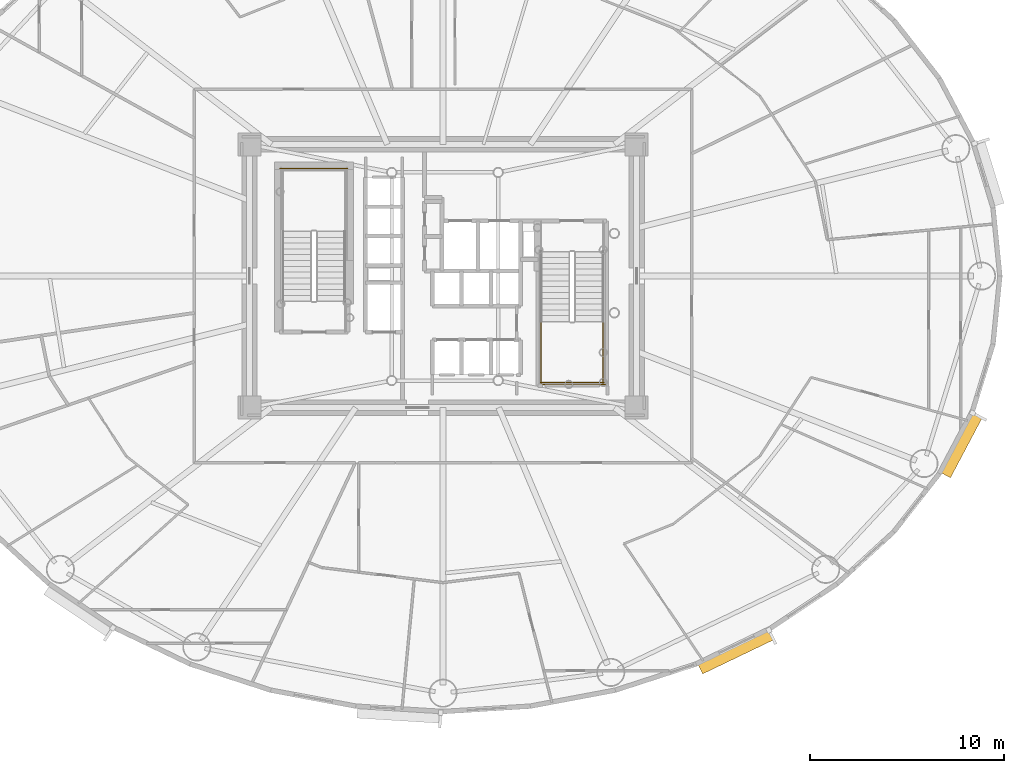
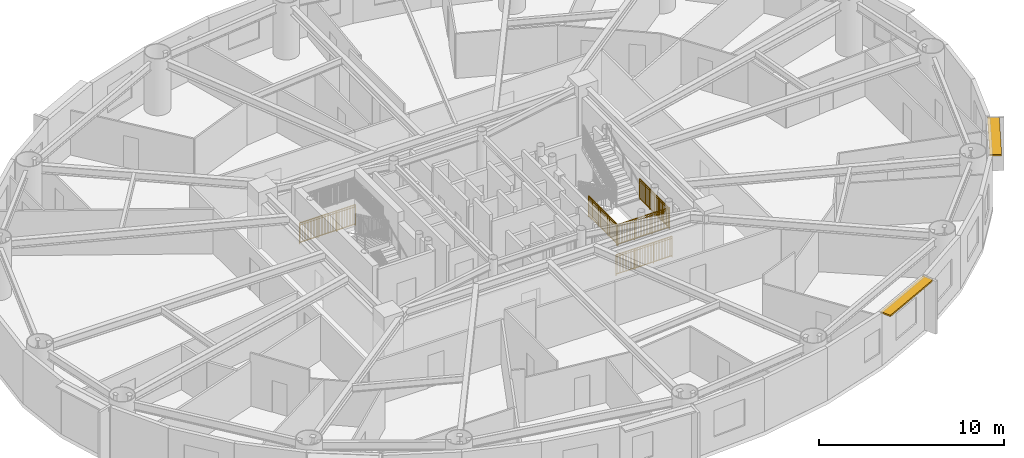
# One storey, part 14 of 16: 5 railings, 2 shading devices.
"""IFC4 building model written with IfcOpenShell, lengths in metres."""

from ifc_helpers import new_model, si_unit, direction, frame, origin, origin_2d, place, context, subcontext, project, spatial, rectangle, extrude, source, transform, mapped, material, layer, layer_set, type_object, element, save


model = new_model("IFC4")

# Units and contexts
model_context = context("Model", 3, precision=1e-05, world=origin(), true_north=direction((0.0, 1.0)))
body_context = subcontext(model_context, "Body", "Model", "MODEL_VIEW")
ifc_project = project(units=[si_unit("LENGTHUNIT", "METRE"), si_unit("AREAUNIT", "SQUARE_METRE"), si_unit("VOLUMEUNIT", "CUBIC_METRE"), si_unit("PLANEANGLEUNIT", "RADIAN"), si_unit("MASSUNIT", "GRAM", prefix="KILO")], contexts=[model_context])

# Site, building, storey
site_placement = place(None, origin())
site = spatial("IfcSite", under=ifc_project, at=site_placement, CompositionType="ELEMENT")
building_placement = place(site_placement, origin())
building = spatial("IfcBuilding", under=site, at=building_placement, Name="Linh Dai School and Residence Tower", CompositionType="ELEMENT")
storey_placement = place(building_placement, frame((0.0, 0.0, 138.449951171875)))
storey = spatial("IfcBuildingStorey", under=building, at=storey_placement, Name="L33", CompositionType="ELEMENT", Elevation=138.449951171875)

# Shading devices
ifc_material_1 = material(Name="Terracotta Ceramic Sunshade", Category="masonry")
ifc_layer = layer(ifc_material_1, 0.10009765625)
ifc_layer_set = layer_set([ifc_layer], Name="Terracotta Ceramic Sunshade")
shading_device_type = type_object("IfcShadingDeviceType", Name="SHD-TC-650", PredefinedType="USERDEFINED", material=ifc_layer_set)
shared_shape_1 = source(origin(), body_context, "Body", "SweptSolid", [
    extrude(rectangle(XDim=4.1005859375, YDim=0.64990234375, at=origin_2d()), origin(), (0.0, 0.0, 1.0), 0.10009765625),
])
shading_device_1_placement = place(storey_placement, frame((51.122802734375, 7.61962890625, 3.3798828125), z_axis=(0.0, 0.0, 1.0), x_axis=(-0.901577518371, -0.432617589064, 0.0)))
element("IfcShadingDevice", 1, at=shading_device_1_placement, inside=storey, type_object=shading_device_type, Name="L33 Terracotta Horizontal Sunshade Band 34", ObjectType="SUNSHADE", PredefinedType="USERDEFINED", context=body_context, shape_type="MappedRepresentation", body=[
    mapped(shared_shape_1, transform((0.0, 0.0, 0.0), x_axis=(1.0, 0.0, 0.0), y_axis=(0.0, 1.0, 0.0), z_axis=(0.0, 0.0, 1.0), scale=1.0)),
])
shared_shape_2 = source(origin(), body_context, "Body", "SweptSolid", [
    extrude(rectangle(XDim=3.541015625, YDim=0.64990234375, at=origin_2d()), origin(), (0.0, 0.0, 1.0), 0.10009765625),
])
shading_device_2_placement = place(storey_placement, frame((62.759521484375, 18.291259765625, 3.3798828125), z_axis=(0.0, 0.0, 1.0), x_axis=(-0.467596217252, -0.883942180016, 0.0)))
element("IfcShadingDevice", 2, at=shading_device_2_placement, inside=storey, type_object=shading_device_type, Name="L33 Terracotta Horizontal Sunshade Band 38", ObjectType="SUNSHADE", PredefinedType="USERDEFINED", context=body_context, shape_type="MappedRepresentation", body=[
    mapped(shared_shape_2, transform((0.0, 0.0, 0.0), x_axis=(1.0, 0.0, 0.0), y_axis=(0.0, 1.0, 0.0), z_axis=(0.0, 0.0, 1.0), scale=1.0)),
])

# Railings
ifc_material_2 = material(Name="Structural Steel S355JR", Category="steel")
railing_type = type_object("IfcRailingType", Name="RL-ST-GUARD-1400", PredefinedType="GUARDRAIL", material=ifc_material_2)
shared_shape_3 = source(origin(), body_context, "Body", "SweptSolid", [
    extrude(rectangle(XDim=0.048095703125, YDim=0.048095703125, at=origin_2d()), frame((0.0, 0.0, 1.3759765625), z_axis=(-1.0, 0.0, 0.0), x_axis=(0.0, -1.0, 0.0)), (0.0, 0.0, 1.0), 3.5),
    extrude(rectangle(XDim=0.048095703125, YDim=0.048095703125, at=origin_2d()), frame((0.0, 0.0, 0.10009765625), z_axis=(-1.0, 0.0, 0.0), x_axis=(0.0, -1.0, 0.0)), (0.0, 0.0, 1.0), 3.5),
    extrude(rectangle(XDim=0.030029296875, YDim=0.030029296875, at=origin_2d()), frame((0.0, 0.0, 1.239990234375), z_axis=(-1.0, 0.0, 0.0), x_axis=(0.0, -1.0, 0.0)), (0.0, 0.0, 1.0), 3.5),
    extrude(rectangle(XDim=0.02001953125, YDim=0.02001953125, at=origin_2d()), frame((-0.09716796875, 0.0, 0.10009765625)), (0.0, 0.0, 1.0), 1.251708984375),
    extrude(rectangle(XDim=0.02001953125, YDim=0.02001953125, at=origin_2d()), frame((-0.1943359375, 0.0, 0.10009765625)), (0.0, 0.0, 1.0), 1.251708984375),
    extrude(rectangle(XDim=0.02001953125, YDim=0.02001953125, at=origin_2d()), frame((-0.291748046875, 0.0, 0.10009765625)), (0.0, 0.0, 1.0), 1.251708984375),
    extrude(rectangle(XDim=0.02001953125, YDim=0.02001953125, at=origin_2d()), frame((-0.388916015625, 0.0, 0.10009765625)), (0.0, 0.0, 1.0), 1.251708984375),
    extrude(rectangle(XDim=0.02001953125, YDim=0.02001953125, at=origin_2d()), frame((-0.486083984375, 0.0, 0.10009765625)), (0.0, 0.0, 1.0), 1.251708984375),
    extrude(rectangle(XDim=0.02001953125, YDim=0.02001953125, at=origin_2d()), frame((-0.583251953125, 0.0, 0.10009765625)), (0.0, 0.0, 1.0), 1.251708984375),
    extrude(rectangle(XDim=0.02001953125, YDim=0.02001953125, at=origin_2d()), frame((-0.6806640625, 0.0, 0.10009765625)), (0.0, 0.0, 1.0), 1.251708984375),
    extrude(rectangle(XDim=0.02001953125, YDim=0.02001953125, at=origin_2d()), frame((-0.77783203125, 0.0, 0.10009765625)), (0.0, 0.0, 1.0), 1.251708984375),
    extrude(rectangle(XDim=0.02001953125, YDim=0.02001953125, at=origin_2d()), frame((-0.875, 0.0, 0.10009765625)), (0.0, 0.0, 1.0), 1.251708984375),
    extrude(rectangle(XDim=0.02001953125, YDim=0.02001953125, at=origin_2d()), frame((-0.97216796875, 0.0, 0.10009765625)), (0.0, 0.0, 1.0), 1.251708984375),
    extrude(rectangle(XDim=0.02001953125, YDim=0.02001953125, at=origin_2d()), frame((-1.0693359375, 0.0, 0.10009765625)), (0.0, 0.0, 1.0), 1.251708984375),
    extrude(rectangle(XDim=0.02001953125, YDim=0.02001953125, at=origin_2d()), frame((-1.263916015625, 0.0, 0.10009765625)), (0.0, 0.0, 1.0), 1.251708984375),
    extrude(rectangle(XDim=0.02001953125, YDim=0.02001953125, at=origin_2d()), frame((-1.361083984375, 0.0, 0.10009765625)), (0.0, 0.0, 1.0), 1.251708984375),
    extrude(rectangle(XDim=0.02001953125, YDim=0.02001953125, at=origin_2d()), frame((-1.458251953125, 0.0, 0.10009765625)), (0.0, 0.0, 1.0), 1.251708984375),
    extrude(rectangle(XDim=0.02001953125, YDim=0.02001953125, at=origin_2d()), frame((-1.5556640625, 0.0, 0.10009765625)), (0.0, 0.0, 1.0), 1.251708984375),
    extrude(rectangle(XDim=0.02001953125, YDim=0.02001953125, at=origin_2d()), frame((-1.65283203125, 0.0, 0.10009765625)), (0.0, 0.0, 1.0), 1.251708984375),
    extrude(rectangle(XDim=0.02001953125, YDim=0.02001953125, at=origin_2d()), frame((-1.75, 0.0, 0.10009765625)), (0.0, 0.0, 1.0), 1.251708984375),
    extrude(rectangle(XDim=0.02001953125, YDim=0.02001953125, at=origin_2d()), frame((-1.84716796875, 0.0, 0.10009765625)), (0.0, 0.0, 1.0), 1.251708984375),
    extrude(rectangle(XDim=0.02001953125, YDim=0.02001953125, at=origin_2d()), frame((-1.9443359375, 0.0, 0.10009765625)), (0.0, 0.0, 1.0), 1.251708984375),
    extrude(rectangle(XDim=0.02001953125, YDim=0.02001953125, at=origin_2d()), frame((-2.041748046875, 0.0, 0.10009765625)), (0.0, 0.0, 1.0), 1.251708984375),
    extrude(rectangle(XDim=0.02001953125, YDim=0.02001953125, at=origin_2d()), frame((-2.138916015625, 0.0, 0.10009765625)), (0.0, 0.0, 1.0), 1.251708984375),
    extrude(rectangle(XDim=0.02001953125, YDim=0.02001953125, at=origin_2d()), frame((-2.236083984375, 0.0, 0.10009765625)), (0.0, 0.0, 1.0), 1.251708984375),
    extrude(rectangle(XDim=0.02001953125, YDim=0.02001953125, at=origin_2d()), frame((-2.4306640625, 0.0, 0.10009765625)), (0.0, 0.0, 1.0), 1.251708984375),
    extrude(rectangle(XDim=0.02001953125, YDim=0.02001953125, at=origin_2d()), frame((-2.52783203125, 0.0, 0.10009765625)), (0.0, 0.0, 1.0), 1.251708984375),
    extrude(rectangle(XDim=0.02001953125, YDim=0.02001953125, at=origin_2d()), frame((-2.625, 0.0, 0.10009765625)), (0.0, 0.0, 1.0), 1.251708984375),
    extrude(rectangle(XDim=0.02001953125, YDim=0.02001953125, at=origin_2d()), frame((-2.72216796875, 0.0, 0.10009765625)), (0.0, 0.0, 1.0), 1.251708984375),
    extrude(rectangle(XDim=0.02001953125, YDim=0.02001953125, at=origin_2d()), frame((-2.8193359375, 0.0, 0.10009765625)), (0.0, 0.0, 1.0), 1.251708984375),
    extrude(rectangle(XDim=0.02001953125, YDim=0.02001953125, at=origin_2d()), frame((-2.916748046875, 0.0, 0.10009765625)), (0.0, 0.0, 1.0), 1.251708984375),
    extrude(rectangle(XDim=0.02001953125, YDim=0.02001953125, at=origin_2d()), frame((-3.013916015625, 0.0, 0.10009765625)), (0.0, 0.0, 1.0), 1.251708984375),
    extrude(rectangle(XDim=0.02001953125, YDim=0.02001953125, at=origin_2d()), frame((-3.111083984375, 0.0, 0.10009765625)), (0.0, 0.0, 1.0), 1.251708984375),
    extrude(rectangle(XDim=0.02001953125, YDim=0.02001953125, at=origin_2d()), frame((-3.208251953125, 0.0, 0.10009765625)), (0.0, 0.0, 1.0), 1.251708984375),
    extrude(rectangle(XDim=0.02001953125, YDim=0.02001953125, at=origin_2d()), frame((-3.3056640625, 0.0, 0.10009765625)), (0.0, 0.0, 1.0), 1.251708984375),
    extrude(rectangle(XDim=0.02001953125, YDim=0.02001953125, at=origin_2d()), frame((-3.40283203125, 0.0, 0.10009765625)), (0.0, 0.0, 1.0), 1.251708984375),
    extrude(rectangle(XDim=0.0419921875, YDim=0.0419921875, at=origin_2d()), origin(), (0.0, 0.0, 1.0), 1.3759765625),
    extrude(rectangle(XDim=0.0419921875, YDim=0.0419921875, at=origin_2d()), frame((-1.166748046875, 0.0, 0.0)), (0.0, 0.0, 1.0), 1.3759765625),
    extrude(rectangle(XDim=0.0419921875, YDim=0.0419921875, at=origin_2d()), frame((-2.333251953125, 0.0, 0.0)), (0.0, 0.0, 1.0), 1.3759765625),
    extrude(rectangle(XDim=0.0419921875, YDim=0.0419921875, at=origin_2d()), frame((-3.5, 0.0, 0.0)), (0.0, 0.0, 1.0), 1.3759765625),
])
railing_1_placement = place(storey_placement, frame((31.080078125, 32.550048828125, 0.0)))
element("IfcRailing", 3, at=railing_1_placement, inside=storey, type_object=railing_type, Name="L33 ST1 stair guard 12", PredefinedType="GUARDRAIL", context=body_context, shape_type="MappedRepresentation", body=[
    mapped(shared_shape_3, transform((0.0, 0.0, 0.0), x_axis=(1.0, 0.0, 0.0), y_axis=(0.0, 1.0, 0.0), z_axis=(0.0, 0.0, 1.0), scale=1.0)),
])
shared_shape_4 = source(origin(), body_context, "Body", "SweptSolid", [
    extrude(rectangle(XDim=0.048095703125, YDim=0.048095703125, at=origin_2d()), frame((0.0, 0.0, 1.3759765625), z_axis=(1.0, 0.0, 0.0), x_axis=(0.0, 1.0, 0.0)), (0.0, 0.0, 1.0), 3.300048828125),
    extrude(rectangle(XDim=0.048095703125, YDim=0.048095703125, at=origin_2d()), frame((0.0, 0.0, 0.10009765625), z_axis=(1.0, 0.0, 0.0), x_axis=(0.0, 1.0, 0.0)), (0.0, 0.0, 1.0), 3.300048828125),
    extrude(rectangle(XDim=0.030029296875, YDim=0.030029296875, at=origin_2d()), frame((0.0, 0.0, 1.239990234375), z_axis=(1.0, 0.0, 0.0), x_axis=(0.0, 1.0, 0.0)), (0.0, 0.0, 1.0), 3.300048828125),
    extrude(rectangle(XDim=0.02001953125, YDim=0.02001953125, at=origin_2d()), frame((0.09716796875, 0.0, 0.10009765625)), (0.0, 0.0, 1.0), 1.251708984375),
    extrude(rectangle(XDim=0.02001953125, YDim=0.02001953125, at=origin_2d()), frame((0.194091796875, 0.0, 0.10009765625)), (0.0, 0.0, 1.0), 1.251708984375),
    extrude(rectangle(XDim=0.02001953125, YDim=0.02001953125, at=origin_2d()), frame((0.291259765625, 0.0, 0.10009765625)), (0.0, 0.0, 1.0), 1.251708984375),
    extrude(rectangle(XDim=0.02001953125, YDim=0.02001953125, at=origin_2d()), frame((0.38818359375, 0.0, 0.10009765625)), (0.0, 0.0, 1.0), 1.251708984375),
    extrude(rectangle(XDim=0.02001953125, YDim=0.02001953125, at=origin_2d()), frame((0.4853515625, 0.0, 0.10009765625)), (0.0, 0.0, 1.0), 1.251708984375),
    extrude(rectangle(XDim=0.02001953125, YDim=0.02001953125, at=origin_2d()), frame((0.582275390625, 0.0, 0.10009765625)), (0.0, 0.0, 1.0), 1.251708984375),
    extrude(rectangle(XDim=0.02001953125, YDim=0.02001953125, at=origin_2d()), frame((0.679443359375, 0.0, 0.10009765625)), (0.0, 0.0, 1.0), 1.251708984375),
    extrude(rectangle(XDim=0.02001953125, YDim=0.02001953125, at=origin_2d()), frame((0.7763671875, 0.0, 0.10009765625)), (0.0, 0.0, 1.0), 1.251708984375),
    extrude(rectangle(XDim=0.02001953125, YDim=0.02001953125, at=origin_2d()), frame((0.87353515625, 0.0, 0.10009765625)), (0.0, 0.0, 1.0), 1.251708984375),
    extrude(rectangle(XDim=0.02001953125, YDim=0.02001953125, at=origin_2d()), frame((0.970703125, 0.0, 0.10009765625)), (0.0, 0.0, 1.0), 1.251708984375),
    extrude(rectangle(XDim=0.02001953125, YDim=0.02001953125, at=origin_2d()), frame((1.164794921875, 0.0, 0.10009765625)), (0.0, 0.0, 1.0), 1.251708984375),
    extrude(rectangle(XDim=0.02001953125, YDim=0.02001953125, at=origin_2d()), frame((1.26171875, 0.0, 0.10009765625)), (0.0, 0.0, 1.0), 1.251708984375),
    extrude(rectangle(XDim=0.02001953125, YDim=0.02001953125, at=origin_2d()), frame((1.35888671875, 0.0, 0.10009765625)), (0.0, 0.0, 1.0), 1.251708984375),
    extrude(rectangle(XDim=0.02001953125, YDim=0.02001953125, at=origin_2d()), frame((1.455810546875, 0.0, 0.10009765625)), (0.0, 0.0, 1.0), 1.251708984375),
    extrude(rectangle(XDim=0.02001953125, YDim=0.02001953125, at=origin_2d()), frame((1.552978515625, 0.0, 0.10009765625)), (0.0, 0.0, 1.0), 1.251708984375),
    extrude(rectangle(XDim=0.02001953125, YDim=0.02001953125, at=origin_2d()), frame((1.64990234375, 0.0, 0.10009765625)), (0.0, 0.0, 1.0), 1.251708984375),
    extrude(rectangle(XDim=0.02001953125, YDim=0.02001953125, at=origin_2d()), frame((1.7470703125, 0.0, 0.10009765625)), (0.0, 0.0, 1.0), 1.251708984375),
    extrude(rectangle(XDim=0.02001953125, YDim=0.02001953125, at=origin_2d()), frame((1.84423828125, 0.0, 0.10009765625)), (0.0, 0.0, 1.0), 1.251708984375),
    extrude(rectangle(XDim=0.02001953125, YDim=0.02001953125, at=origin_2d()), frame((1.941162109375, 0.0, 0.10009765625)), (0.0, 0.0, 1.0), 1.251708984375),
    extrude(rectangle(XDim=0.02001953125, YDim=0.02001953125, at=origin_2d()), frame((2.038330078125, 0.0, 0.10009765625)), (0.0, 0.0, 1.0), 1.251708984375),
    extrude(rectangle(XDim=0.02001953125, YDim=0.02001953125, at=origin_2d()), frame((2.13525390625, 0.0, 0.10009765625)), (0.0, 0.0, 1.0), 1.251708984375),
    extrude(rectangle(XDim=0.02001953125, YDim=0.02001953125, at=origin_2d()), frame((2.329345703125, 0.0, 0.10009765625)), (0.0, 0.0, 1.0), 1.251708984375),
    extrude(rectangle(XDim=0.02001953125, YDim=0.02001953125, at=origin_2d()), frame((2.426513671875, 0.0, 0.10009765625)), (0.0, 0.0, 1.0), 1.251708984375),
    extrude(rectangle(XDim=0.02001953125, YDim=0.02001953125, at=origin_2d()), frame((2.523681640625, 0.0, 0.10009765625)), (0.0, 0.0, 1.0), 1.251708984375),
    extrude(rectangle(XDim=0.02001953125, YDim=0.02001953125, at=origin_2d()), frame((2.62060546875, 0.0, 0.10009765625)), (0.0, 0.0, 1.0), 1.251708984375),
    extrude(rectangle(XDim=0.02001953125, YDim=0.02001953125, at=origin_2d()), frame((2.7177734375, 0.0, 0.10009765625)), (0.0, 0.0, 1.0), 1.251708984375),
    extrude(rectangle(XDim=0.02001953125, YDim=0.02001953125, at=origin_2d()), frame((2.814697265625, 0.0, 0.10009765625)), (0.0, 0.0, 1.0), 1.251708984375),
    extrude(rectangle(XDim=0.02001953125, YDim=0.02001953125, at=origin_2d()), frame((2.911865234375, 0.0, 0.10009765625)), (0.0, 0.0, 1.0), 1.251708984375),
    extrude(rectangle(XDim=0.02001953125, YDim=0.02001953125, at=origin_2d()), frame((3.0087890625, 0.0, 0.10009765625)), (0.0, 0.0, 1.0), 1.251708984375),
    extrude(rectangle(XDim=0.02001953125, YDim=0.02001953125, at=origin_2d()), frame((3.10595703125, 0.0, 0.10009765625)), (0.0, 0.0, 1.0), 1.251708984375),
    extrude(rectangle(XDim=0.02001953125, YDim=0.02001953125, at=origin_2d()), frame((3.202880859375, 0.0, 0.10009765625)), (0.0, 0.0, 1.0), 1.251708984375),
    extrude(rectangle(XDim=0.0419921875, YDim=0.0419921875, at=origin_2d()), origin(), (0.0, 0.0, 1.0), 1.3759765625),
    extrude(rectangle(XDim=0.0419921875, YDim=0.0419921875, at=origin_2d()), frame((1.10009765625, 0.0, 0.0)), (0.0, 0.0, 1.0), 1.3759765625),
    extrude(rectangle(XDim=0.0419921875, YDim=0.0419921875, at=origin_2d()), frame((2.199951171875, 0.0, 0.0)), (0.0, 0.0, 1.0), 1.3759765625),
    extrude(rectangle(XDim=0.0419921875, YDim=0.0419921875, at=origin_2d()), frame((3.300048828125, 0.0, 0.0)), (0.0, 0.0, 1.0), 1.3759765625),
])
railing_2_placement = place(storey_placement, frame((41.02001953125, 21.5, 1.875)))
element("IfcRailing", 4, at=railing_2_placement, inside=storey, type_object=railing_type, Name="L33 ST2 stair guard 5", PredefinedType="GUARDRAIL", context=body_context, shape_type="MappedRepresentation", body=[
    mapped(shared_shape_4, transform((0.0, 0.0, 0.0), x_axis=(1.0, 0.0, 0.0), y_axis=(0.0, 1.0, 0.0), z_axis=(0.0, 0.0, 1.0), scale=1.0)),
])
shared_shape_5 = source(origin(), body_context, "Body", "SweptSolid", [
    extrude(rectangle(XDim=0.048095703125, YDim=0.048095703125, at=origin_2d()), frame((0.0, 0.0, 1.3759765625), z_axis=(1.0, 0.0, 0.0), x_axis=(0.0, 1.0, 0.0)), (0.0, 0.0, 1.0), 3.5),
    extrude(rectangle(XDim=0.048095703125, YDim=0.048095703125, at=origin_2d()), frame((0.0, 0.0, 0.10009765625), z_axis=(1.0, 0.0, 0.0), x_axis=(0.0, 1.0, 0.0)), (0.0, 0.0, 1.0), 3.5),
    extrude(rectangle(XDim=0.030029296875, YDim=0.030029296875, at=origin_2d()), frame((0.0, 0.0, 1.239990234375), z_axis=(1.0, 0.0, 0.0), x_axis=(0.0, 1.0, 0.0)), (0.0, 0.0, 1.0), 3.5),
    extrude(rectangle(XDim=0.02001953125, YDim=0.02001953125, at=origin_2d()), frame((0.09716796875, 0.0, 0.10009765625)), (0.0, 0.0, 1.0), 1.251708984375),
    extrude(rectangle(XDim=0.02001953125, YDim=0.02001953125, at=origin_2d()), frame((0.1943359375, 0.0, 0.10009765625)), (0.0, 0.0, 1.0), 1.251708984375),
    extrude(rectangle(XDim=0.02001953125, YDim=0.02001953125, at=origin_2d()), frame((0.291748046875, 0.0, 0.10009765625)), (0.0, 0.0, 1.0), 1.251708984375),
    extrude(rectangle(XDim=0.02001953125, YDim=0.02001953125, at=origin_2d()), frame((0.388916015625, 0.0, 0.10009765625)), (0.0, 0.0, 1.0), 1.251708984375),
    extrude(rectangle(XDim=0.02001953125, YDim=0.02001953125, at=origin_2d()), frame((0.486083984375, 0.0, 0.10009765625)), (0.0, 0.0, 1.0), 1.251708984375),
    extrude(rectangle(XDim=0.02001953125, YDim=0.02001953125, at=origin_2d()), frame((0.583251953125, 0.0, 0.10009765625)), (0.0, 0.0, 1.0), 1.251708984375),
    extrude(rectangle(XDim=0.02001953125, YDim=0.02001953125, at=origin_2d()), frame((0.6806640625, 0.0, 0.10009765625)), (0.0, 0.0, 1.0), 1.251708984375),
    extrude(rectangle(XDim=0.02001953125, YDim=0.02001953125, at=origin_2d()), frame((0.77783203125, 0.0, 0.10009765625)), (0.0, 0.0, 1.0), 1.251708984375),
    extrude(rectangle(XDim=0.02001953125, YDim=0.02001953125, at=origin_2d()), frame((0.875, 0.0, 0.10009765625)), (0.0, 0.0, 1.0), 1.251708984375),
    extrude(rectangle(XDim=0.02001953125, YDim=0.02001953125, at=origin_2d()), frame((0.97216796875, 0.0, 0.10009765625)), (0.0, 0.0, 1.0), 1.251708984375),
    extrude(rectangle(XDim=0.02001953125, YDim=0.02001953125, at=origin_2d()), frame((1.0693359375, 0.0, 0.10009765625)), (0.0, 0.0, 1.0), 1.251708984375),
    extrude(rectangle(XDim=0.02001953125, YDim=0.02001953125, at=origin_2d()), frame((1.263916015625, 0.0, 0.10009765625)), (0.0, 0.0, 1.0), 1.251708984375),
    extrude(rectangle(XDim=0.02001953125, YDim=0.02001953125, at=origin_2d()), frame((1.361083984375, 0.0, 0.10009765625)), (0.0, 0.0, 1.0), 1.251708984375),
    extrude(rectangle(XDim=0.02001953125, YDim=0.02001953125, at=origin_2d()), frame((1.458251953125, 0.0, 0.10009765625)), (0.0, 0.0, 1.0), 1.251708984375),
    extrude(rectangle(XDim=0.02001953125, YDim=0.02001953125, at=origin_2d()), frame((1.5556640625, 0.0, 0.10009765625)), (0.0, 0.0, 1.0), 1.251708984375),
    extrude(rectangle(XDim=0.02001953125, YDim=0.02001953125, at=origin_2d()), frame((1.65283203125, 0.0, 0.10009765625)), (0.0, 0.0, 1.0), 1.251708984375),
    extrude(rectangle(XDim=0.02001953125, YDim=0.02001953125, at=origin_2d()), frame((1.75, 0.0, 0.10009765625)), (0.0, 0.0, 1.0), 1.251708984375),
    extrude(rectangle(XDim=0.02001953125, YDim=0.02001953125, at=origin_2d()), frame((1.84716796875, 0.0, 0.10009765625)), (0.0, 0.0, 1.0), 1.251708984375),
    extrude(rectangle(XDim=0.02001953125, YDim=0.02001953125, at=origin_2d()), frame((1.9443359375, 0.0, 0.10009765625)), (0.0, 0.0, 1.0), 1.251708984375),
    extrude(rectangle(XDim=0.02001953125, YDim=0.02001953125, at=origin_2d()), frame((2.041748046875, 0.0, 0.10009765625)), (0.0, 0.0, 1.0), 1.251708984375),
    extrude(rectangle(XDim=0.02001953125, YDim=0.02001953125, at=origin_2d()), frame((2.138916015625, 0.0, 0.10009765625)), (0.0, 0.0, 1.0), 1.251708984375),
    extrude(rectangle(XDim=0.02001953125, YDim=0.02001953125, at=origin_2d()), frame((2.236083984375, 0.0, 0.10009765625)), (0.0, 0.0, 1.0), 1.251708984375),
    extrude(rectangle(XDim=0.02001953125, YDim=0.02001953125, at=origin_2d()), frame((2.4306640625, 0.0, 0.10009765625)), (0.0, 0.0, 1.0), 1.251708984375),
    extrude(rectangle(XDim=0.02001953125, YDim=0.02001953125, at=origin_2d()), frame((2.52783203125, 0.0, 0.10009765625)), (0.0, 0.0, 1.0), 1.251708984375),
    extrude(rectangle(XDim=0.02001953125, YDim=0.02001953125, at=origin_2d()), frame((2.625, 0.0, 0.10009765625)), (0.0, 0.0, 1.0), 1.251708984375),
    extrude(rectangle(XDim=0.02001953125, YDim=0.02001953125, at=origin_2d()), frame((2.72216796875, 0.0, 0.10009765625)), (0.0, 0.0, 1.0), 1.251708984375),
    extrude(rectangle(XDim=0.02001953125, YDim=0.02001953125, at=origin_2d()), frame((2.8193359375, 0.0, 0.10009765625)), (0.0, 0.0, 1.0), 1.251708984375),
    extrude(rectangle(XDim=0.02001953125, YDim=0.02001953125, at=origin_2d()), frame((2.916748046875, 0.0, 0.10009765625)), (0.0, 0.0, 1.0), 1.251708984375),
    extrude(rectangle(XDim=0.02001953125, YDim=0.02001953125, at=origin_2d()), frame((3.013916015625, 0.0, 0.10009765625)), (0.0, 0.0, 1.0), 1.251708984375),
    extrude(rectangle(XDim=0.02001953125, YDim=0.02001953125, at=origin_2d()), frame((3.111083984375, 0.0, 0.10009765625)), (0.0, 0.0, 1.0), 1.251708984375),
    extrude(rectangle(XDim=0.02001953125, YDim=0.02001953125, at=origin_2d()), frame((3.208251953125, 0.0, 0.10009765625)), (0.0, 0.0, 1.0), 1.251708984375),
    extrude(rectangle(XDim=0.02001953125, YDim=0.02001953125, at=origin_2d()), frame((3.3056640625, 0.0, 0.10009765625)), (0.0, 0.0, 1.0), 1.251708984375),
    extrude(rectangle(XDim=0.02001953125, YDim=0.02001953125, at=origin_2d()), frame((3.40283203125, 0.0, 0.10009765625)), (0.0, 0.0, 1.0), 1.251708984375),
    extrude(rectangle(XDim=0.0419921875, YDim=0.0419921875, at=origin_2d()), origin(), (0.0, 0.0, 1.0), 1.3759765625),
    extrude(rectangle(XDim=0.0419921875, YDim=0.0419921875, at=origin_2d()), frame((1.166748046875, 0.0, 0.0)), (0.0, 0.0, 1.0), 1.3759765625),
    extrude(rectangle(XDim=0.0419921875, YDim=0.0419921875, at=origin_2d()), frame((2.333251953125, 0.0, 0.0)), (0.0, 0.0, 1.0), 1.3759765625),
    extrude(rectangle(XDim=0.0419921875, YDim=0.0419921875, at=origin_2d()), frame((3.5, 0.0, 0.0)), (0.0, 0.0, 1.0), 1.3759765625),
])
railing_3_placement = place(storey_placement, frame((40.919921875, 21.39990234375, 0.0)))
element("IfcRailing", 5, at=railing_3_placement, inside=storey, type_object=railing_type, Name="L33 ST2 stair guard 12", PredefinedType="GUARDRAIL", context=body_context, shape_type="MappedRepresentation", body=[
    mapped(shared_shape_5, transform((0.0, 0.0, 0.0), x_axis=(1.0, 0.0, 0.0), y_axis=(0.0, 1.0, 0.0), z_axis=(0.0, 0.0, 1.0), scale=1.0)),
])
shared_shape_6 = source(origin(), body_context, "Body", "SweptSolid", [
    extrude(rectangle(XDim=0.048095703125, YDim=0.048095703125, at=origin_2d()), frame((0.0, 0.0, 1.3759765625), z_axis=(0.0, -1.0, 0.0), x_axis=(1.0, 0.0, 0.0)), (0.0, 0.0, 1.0), 3.199951171875),
    extrude(rectangle(XDim=0.048095703125, YDim=0.048095703125, at=origin_2d()), frame((0.0, 0.0, 0.10009765625), z_axis=(0.0, -1.0, 0.0), x_axis=(1.0, 0.0, 0.0)), (0.0, 0.0, 1.0), 3.199951171875),
    extrude(rectangle(XDim=0.030029296875, YDim=0.030029296875, at=origin_2d()), frame((0.0, 0.0, 1.239990234375), z_axis=(0.0, -1.0, 0.0), x_axis=(1.0, 0.0, 0.0)), (0.0, 0.0, 1.0), 3.199951171875),
    extrude(rectangle(XDim=0.02001953125, YDim=0.02001953125, at=origin_2d()), frame((0.0, -0.096923828125, 0.10009765625)), (0.0, 0.0, 1.0), 1.251708984375),
    extrude(rectangle(XDim=0.02001953125, YDim=0.02001953125, at=origin_2d()), frame((0.0, -0.19384765625, 0.10009765625)), (0.0, 0.0, 1.0), 1.251708984375),
    extrude(rectangle(XDim=0.02001953125, YDim=0.02001953125, at=origin_2d()), frame((0.0, -0.291015625, 0.10009765625)), (0.0, 0.0, 1.0), 1.251708984375),
    extrude(rectangle(XDim=0.02001953125, YDim=0.02001953125, at=origin_2d()), frame((0.0, -0.387939453125, 0.10009765625)), (0.0, 0.0, 1.0), 1.251708984375),
    extrude(rectangle(XDim=0.02001953125, YDim=0.02001953125, at=origin_2d()), frame((0.0, -0.48486328125, 0.10009765625)), (0.0, 0.0, 1.0), 1.251708984375),
    extrude(rectangle(XDim=0.02001953125, YDim=0.02001953125, at=origin_2d()), frame((0.0, -0.581787109375, 0.10009765625)), (0.0, 0.0, 1.0), 1.251708984375),
    extrude(rectangle(XDim=0.02001953125, YDim=0.02001953125, at=origin_2d()), frame((0.0, -0.6787109375, 0.10009765625)), (0.0, 0.0, 1.0), 1.251708984375),
    extrude(rectangle(XDim=0.02001953125, YDim=0.02001953125, at=origin_2d()), frame((0.0, -0.775634765625, 0.10009765625)), (0.0, 0.0, 1.0), 1.251708984375),
    extrude(rectangle(XDim=0.02001953125, YDim=0.02001953125, at=origin_2d()), frame((0.0, -0.872802734375, 0.10009765625)), (0.0, 0.0, 1.0), 1.251708984375),
    extrude(rectangle(XDim=0.02001953125, YDim=0.02001953125, at=origin_2d()), frame((0.0, -0.9697265625, 0.10009765625)), (0.0, 0.0, 1.0), 1.251708984375),
    extrude(rectangle(XDim=0.02001953125, YDim=0.02001953125, at=origin_2d()), frame((0.0, -1.16357421875, 0.10009765625)), (0.0, 0.0, 1.0), 1.251708984375),
    extrude(rectangle(XDim=0.02001953125, YDim=0.02001953125, at=origin_2d()), frame((0.0, -1.260498046875, 0.10009765625)), (0.0, 0.0, 1.0), 1.251708984375),
    extrude(rectangle(XDim=0.02001953125, YDim=0.02001953125, at=origin_2d()), frame((0.0, -1.357666015625, 0.10009765625)), (0.0, 0.0, 1.0), 1.251708984375),
    extrude(rectangle(XDim=0.02001953125, YDim=0.02001953125, at=origin_2d()), frame((0.0, -1.45458984375, 0.10009765625)), (0.0, 0.0, 1.0), 1.251708984375),
    extrude(rectangle(XDim=0.02001953125, YDim=0.02001953125, at=origin_2d()), frame((0.0, -1.551513671875, 0.10009765625)), (0.0, 0.0, 1.0), 1.251708984375),
    extrude(rectangle(XDim=0.02001953125, YDim=0.02001953125, at=origin_2d()), frame((0.0, -1.6484375, 0.10009765625)), (0.0, 0.0, 1.0), 1.251708984375),
    extrude(rectangle(XDim=0.02001953125, YDim=0.02001953125, at=origin_2d()), frame((0.0, -1.745361328125, 0.10009765625)), (0.0, 0.0, 1.0), 1.251708984375),
    extrude(rectangle(XDim=0.02001953125, YDim=0.02001953125, at=origin_2d()), frame((0.0, -1.84228515625, 0.10009765625)), (0.0, 0.0, 1.0), 1.251708984375),
    extrude(rectangle(XDim=0.02001953125, YDim=0.02001953125, at=origin_2d()), frame((0.0, -1.939453125, 0.10009765625)), (0.0, 0.0, 1.0), 1.251708984375),
    extrude(rectangle(XDim=0.02001953125, YDim=0.02001953125, at=origin_2d()), frame((0.0, -2.036376953125, 0.10009765625)), (0.0, 0.0, 1.0), 1.251708984375),
    extrude(rectangle(XDim=0.02001953125, YDim=0.02001953125, at=origin_2d()), frame((0.0, -2.230224609375, 0.10009765625)), (0.0, 0.0, 1.0), 1.251708984375),
    extrude(rectangle(XDim=0.02001953125, YDim=0.02001953125, at=origin_2d()), frame((0.0, -2.3271484375, 0.10009765625)), (0.0, 0.0, 1.0), 1.251708984375),
    extrude(rectangle(XDim=0.02001953125, YDim=0.02001953125, at=origin_2d()), frame((0.0, -2.42431640625, 0.10009765625)), (0.0, 0.0, 1.0), 1.251708984375),
    extrude(rectangle(XDim=0.02001953125, YDim=0.02001953125, at=origin_2d()), frame((0.0, -2.521240234375, 0.10009765625)), (0.0, 0.0, 1.0), 1.251708984375),
    extrude(rectangle(XDim=0.02001953125, YDim=0.02001953125, at=origin_2d()), frame((0.0, -2.6181640625, 0.10009765625)), (0.0, 0.0, 1.0), 1.251708984375),
    extrude(rectangle(XDim=0.02001953125, YDim=0.02001953125, at=origin_2d()), frame((0.0, -2.715087890625, 0.10009765625)), (0.0, 0.0, 1.0), 1.251708984375),
    extrude(rectangle(XDim=0.02001953125, YDim=0.02001953125, at=origin_2d()), frame((0.0, -2.81201171875, 0.10009765625)), (0.0, 0.0, 1.0), 1.251708984375),
    extrude(rectangle(XDim=0.02001953125, YDim=0.02001953125, at=origin_2d()), frame((0.0, -2.908935546875, 0.10009765625)), (0.0, 0.0, 1.0), 1.251708984375),
    extrude(rectangle(XDim=0.02001953125, YDim=0.02001953125, at=origin_2d()), frame((0.0, -3.006103515625, 0.10009765625)), (0.0, 0.0, 1.0), 1.251708984375),
    extrude(rectangle(XDim=0.02001953125, YDim=0.02001953125, at=origin_2d()), frame((0.0, -3.10302734375, 0.10009765625)), (0.0, 0.0, 1.0), 1.251708984375),
    extrude(rectangle(XDim=0.0419921875, YDim=0.0419921875, at=origin_2d()), origin(), (0.0, 0.0, 1.0), 1.3759765625),
    extrude(rectangle(XDim=0.0419921875, YDim=0.0419921875, at=origin_2d()), frame((0.0, -1.066650390625, 0.0)), (0.0, 0.0, 1.0), 1.3759765625),
    extrude(rectangle(XDim=0.0419921875, YDim=0.0419921875, at=origin_2d()), frame((0.0, -2.13330078125, 0.0)), (0.0, 0.0, 1.0), 1.3759765625),
    extrude(rectangle(XDim=0.0419921875, YDim=0.0419921875, at=origin_2d()), frame((0.0, -3.199951171875, 0.0)), (0.0, 0.0, 1.0), 1.3759765625),
])
for number, where, name in (
    (6, (41.070068359375, 24.64990234375, 1.875), "L33 ST2 stair guard 3"),
    (7, (44.27001953125, 24.64990234375, 1.875), "L33 ST2 stair guard 4"),
):
    element("IfcRailing", number, at=place(storey_placement, frame(where)), inside=storey, type_object=railing_type, Name=name, PredefinedType="GUARDRAIL", context=body_context, shape_type="MappedRepresentation", body=[
        mapped(shared_shape_6, transform((0.0, 0.0, 0.0), x_axis=(1.0, 0.0, 0.0), y_axis=(0.0, 1.0, 0.0), z_axis=(0.0, 0.0, 1.0), scale=1.0)),
    ])

save(model, "model.ifc")
